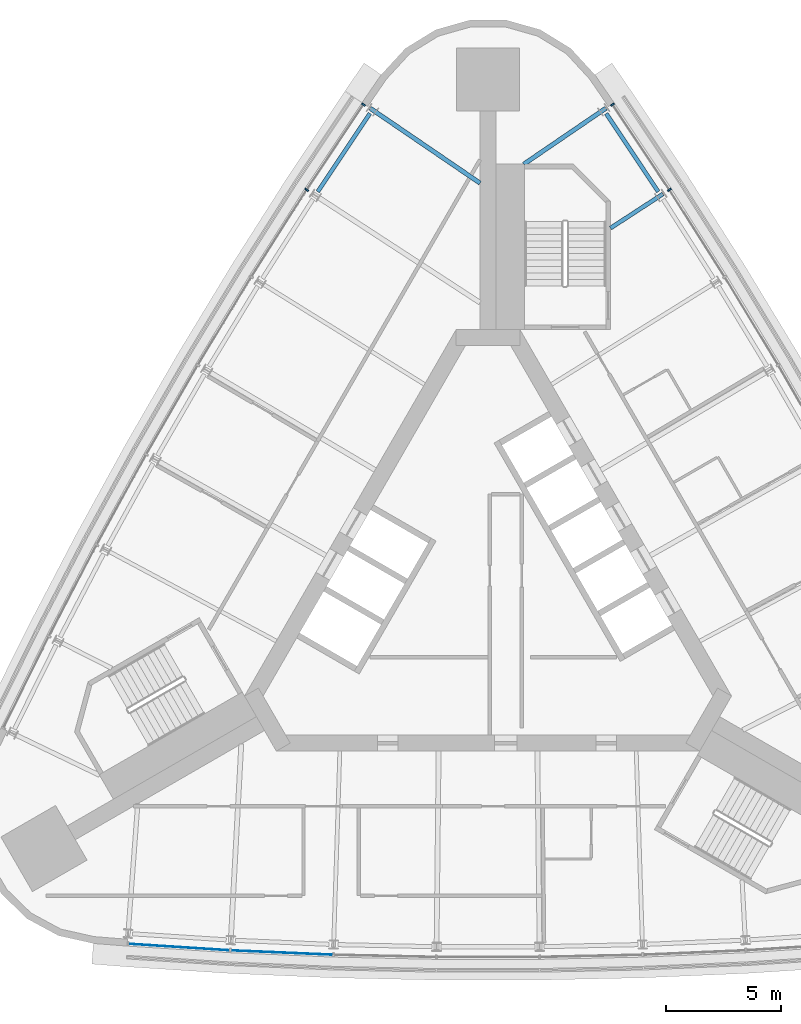
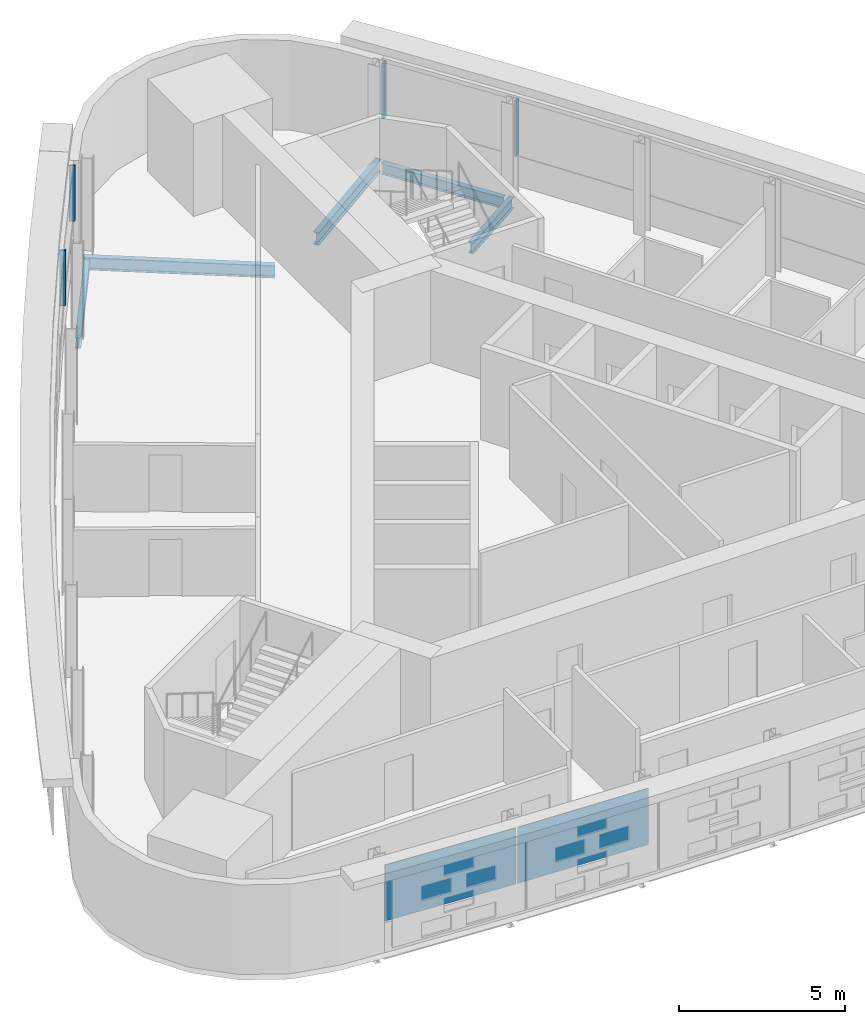
# One storey, part 6 of 12: 5 beams, 4 members, 2 plates, 3 elements without a shape of their own.
"""IFC4 building model written with IfcOpenShell, lengths in metres."""

from ifc_helpers import new_model, si_unit, direction, frame, origin, origin_2d, place, context, subcontext, project, spatial, rectangle, i_section, extrude, material, layer, layer_set, material_profile, profile_set, type_object, element, aggregate, save


model = new_model("IFC4")

# Units and contexts
model_context = context("Model", 3, precision=1e-05, world=origin(), true_north=direction((0.0, 1.0)))
body_context = subcontext(model_context, "Body", "Model", "MODEL_VIEW")
ifc_project = project(units=[si_unit("LENGTHUNIT", "METRE"), si_unit("AREAUNIT", "SQUARE_METRE"), si_unit("VOLUMEUNIT", "CUBIC_METRE"), si_unit("PLANEANGLEUNIT", "RADIAN"), si_unit("MASSUNIT", "GRAM", prefix="KILO")], contexts=[model_context])

# Site, building, storey
site_placement = place(None, origin())
site = spatial("IfcSite", under=ifc_project, at=site_placement, CompositionType="ELEMENT")
building_placement = place(site_placement, origin())
building = spatial("IfcBuilding", under=site, at=building_placement, Name="Noor Cloister Tower", CompositionType="ELEMENT")
storey_placement = place(building_placement, frame((0.0, 0.0, 188.699951171875)))
storey = spatial("IfcBuildingStorey", under=building, at=storey_placement, Name="L48", CompositionType="ELEMENT", Elevation=188.699951171875)

# Curtain wall, members
ifc_material_1 = material(Name="Aluminium 6063-T6 anodised", Category="aluminium")
curtain_wall_type = type_object("IfcCurtainWallType", Name="Ribbon curtain wall, upper tower CW5", PredefinedType="NOTDEFINED", material=ifc_material_1)
curtain_wall_1_placement = place(storey_placement, origin())
curtain_wall_1 = element("IfcCurtainWall", 1, at=curtain_wall_1_placement, inside=storey, type_object=curtain_wall_type, Name="CW5 L48 NW run 1", PredefinedType="NOTDEFINED")
ifc_material_2 = material(Name="Aluminium 6063-T6 anodised", Category="aluminium")
ifc_material_profile_1 = material_profile(ifc_material_2, rectangle(XDim=0.179931640625, YDim=0.070068359375, at=origin_2d()), Name="180 x 70 mullion")
ifc_profile_set_1 = profile_set([ifc_material_profile_1], Name="Aluminium 6063-T6 anodised")
member_type = type_object("IfcMemberType", Name="Mullion CW5 70 x 180", PredefinedType="MULLION", material=ifc_profile_set_1)
member_1_placement = place(storey_placement, frame((-5.430419921875, 21.257080078125, 1.10009765625), z_axis=(0.0, 0.0, 1.0), x_axis=(0.832149936084, -0.554550704513, 0.0)))
member_1 = element("IfcMember", 2, at=member_1_placement, type_object=member_type, Name="CW5 mullion 1", PredefinedType="MULLION", context=body_context, shape_type="SweptSolid", body=[
    extrude(rectangle(XDim=0.179931640625, YDim=0.070068359375, at=origin_2d()), origin(), (0.0, 0.0, 1.0), 2.050048828125),
])
member_2_placement = place(storey_placement, frame((-7.906005859375, 17.54248046875, 1.10009765625), z_axis=(0.0, 0.0, 1.0), x_axis=(0.838038080701, -0.545611744096, 0.0)))
member_2 = element("IfcMember", 3, at=member_2_placement, type_object=member_type, Name="CW5 mullion 2", PredefinedType="MULLION", context=body_context, shape_type="SweptSolid", body=[
    extrude(rectangle(XDim=0.179931640625, YDim=0.070068359375, at=origin_2d()), origin(), (0.0, 0.0, 1.0), 2.050048828125),
])
aggregate(curtain_wall_1, [member_1, member_2])

curtain_wall_2_placement = place(storey_placement, origin())
curtain_wall_2 = element("IfcCurtainWall", 4, at=curtain_wall_2_placement, inside=storey, type_object=curtain_wall_type, Name="CW5 L48 NE run 3", PredefinedType="NOTDEFINED")
member_3_placement = place(storey_placement, frame((7.906005859375, 17.54248046875, 1.10009765625), z_axis=(0.0, 0.0, 1.0), x_axis=(-0.838038080701, -0.545611744096, 0.0)))
member_3 = element("IfcMember", 5, at=member_3_placement, type_object=member_type, Name="CW5 mullion 7", PredefinedType="MULLION", context=body_context, shape_type="SweptSolid", body=[
    extrude(rectangle(XDim=0.179931640625, YDim=0.070068359375, at=origin_2d()), origin(), (0.0, 0.0, 1.0), 2.050048828125),
])
member_4_placement = place(storey_placement, frame((5.430419921875, 21.257080078125, 1.10009765625), z_axis=(0.0, 0.0, 1.0), x_axis=(-0.832149936084, -0.554550704513, 0.0)))
member_4 = element("IfcMember", 6, at=member_4_placement, type_object=member_type, Name="CW5 mullion 8", PredefinedType="MULLION", context=body_context, shape_type="SweptSolid", body=[
    extrude(rectangle(XDim=0.179931640625, YDim=0.070068359375, at=origin_2d()), origin(), (0.0, 0.0, 1.0), 2.050048828125),
])
aggregate(curtain_wall_2, [member_3, member_4])

# Beams
ifc_material_3 = material(Name="Steel ASTM A992 Gr 50", Category="steel")
ifc_material_profile_2 = material_profile(ifc_material_3, i_section(OverallWidth=0.177978515625, OverallDepth=0.406005859375, WebThickness=0.0078125, FlangeThickness=0.0126953125, FilletRadius=0.01025390625, at=origin_2d()), Name="W410x60")
ifc_profile_set_2 = profile_set([ifc_material_profile_2], Name="Steel ASTM A992 Gr 50")
beam_type_1 = type_object("IfcBeamType", Name="Radial beam W410x60", PredefinedType="BEAM", material=ifc_profile_set_2)
beam_1_placement = place(storey_placement, frame((7.622802734375, 17.358154296875, -0.40283203125), z_axis=(-0.83804279392, -0.545604504709, 0.0), x_axis=(0.545604504709, -0.83804279392, 0.0)))
element("IfcBeam", 7, at=beam_1_placement, inside=storey, type_object=beam_type_1, Name="Radial beam NE 07 L48", PredefinedType="BEAM", context=body_context, shape_type="SweptSolid", body=[
    extrude(i_section(OverallWidth=0.177978515625, OverallDepth=0.406005859375, WebThickness=0.0078125, FlangeThickness=0.0126953125, FilletRadius=0.01025390625, at=origin_2d()), origin(), (0.0, 0.0, 1.0), 2.72900390625),
])
ifc_material_4 = material(Name="Steel ASTM A992 Gr 50", Category="steel")
ifc_material_profile_3 = material_profile(ifc_material_4, i_section(OverallWidth=0.19091796875, OverallDepth=0.45703125, WebThickness=0.009033203125, FlangeThickness=0.014404296875, FilletRadius=0.01025390625, at=origin_2d()), Name="W460x74")
ifc_profile_set_3 = profile_set([ifc_material_profile_3], Name="Steel ASTM A992 Gr 50")
beam_type_2 = type_object("IfcBeamType", Name="Radial beam W460x74", PredefinedType="BEAM", material=ifc_profile_set_3)
beam_2_placement = place(storey_placement, frame((-5.132568359375, 21.094970703125, -0.428466796875), z_axis=(0.826151493041, -0.563448054879, 0.0), x_axis=(0.563448054879, 0.826151493041, 0.0)))
element("IfcBeam", 8, at=beam_2_placement, inside=storey, type_object=beam_type_2, Name="Radial beam NW 01 L48", PredefinedType="BEAM", context=body_context, shape_type="SweptSolid", body=[
    extrude(i_section(OverallWidth=0.19091796875, OverallDepth=0.45703125, WebThickness=0.009033203125, FlangeThickness=0.014404296875, FilletRadius=0.01025390625, at=origin_2d()), origin(), (0.0, 0.0, 1.0), 5.788818359375),
])
beam_3_placement = place(storey_placement, frame((5.132568359375, 21.094970703125, -0.428466796875), z_axis=(-0.826172441136, -0.563417338664, 0.0), x_axis=(0.563417338664, -0.826172441136, 0.0)))
element("IfcBeam", 9, at=beam_3_placement, inside=storey, type_object=beam_type_2, Name="Radial beam NE 08 L48", PredefinedType="BEAM", context=body_context, shape_type="SweptSolid", body=[
    extrude(i_section(OverallWidth=0.19091796875, OverallDepth=0.45703125, WebThickness=0.009033203125, FlangeThickness=0.014404296875, FilletRadius=0.01025390625, at=origin_2d()), origin(), (0.0, 0.0, 1.0), 4.328125),
])
ifc_material_5 = material(Name="Steel ASTM A992 Gr 50", Category="steel")
ifc_material_profile_4 = material_profile(ifc_material_5, i_section(OverallWidth=0.177978515625, OverallDepth=0.406005859375, WebThickness=0.0078125, FlangeThickness=0.0126953125, FilletRadius=0.01025390625, at=origin_2d()), Name="W410x60")
ifc_profile_set_4 = profile_set([ifc_material_profile_4], Name="Steel ASTM A992 Gr 50")
beam_type_3 = type_object("IfcBeamType", Name="Spandrel beam W410x60", PredefinedType="SPANDREL", material=ifc_profile_set_4)
for number, where, z_axis, x_axis, name in (
    (10, (-5.149169921875, 20.867919921875, -0.40283203125), (-0.554562580058, -0.832142022012, 0.0), (0.832142022012, -0.554562580058, 0.0), "Spandrel beam NW 01 L48"),
    (11, (7.419677734375, 17.4609375, -0.40283203125), (-0.554562580058, 0.832142022012, 0.0), (-0.832142022012, -0.554562580058, 0.0), "Spandrel beam NE 07 L48"),
):
    element("IfcBeam", number, at=place(storey_placement, frame(where, z_axis=z_axis, x_axis=x_axis)), inside=storey, type_object=beam_type_3, Name=name, PredefinedType="SPANDREL", context=body_context, shape_type="SweptSolid", body=[
        extrude(i_section(OverallWidth=0.177978515625, OverallDepth=0.406005859375, WebThickness=0.0078125, FlangeThickness=0.0126953125, FilletRadius=0.01025390625, at=origin_2d()), origin(), (0.0, 0.0, 1.0), 4.09423828125),
    ])

# Curtain wall, plates
curtain_wall_3_placement = place(storey_placement, origin())
curtain_wall_3 = element("IfcCurtainWall", 12, at=curtain_wall_3_placement, inside=storey, type_object=curtain_wall_type, Name="CW5 L48 S run 2", PredefinedType="NOTDEFINED")
ifc_material_6 = material(Name="Clear laminated glass 2 x 8 mm", Category="glass")
ifc_layer = layer(ifc_material_6, 0.028076171875)
ifc_layer_set = layer_set([ifc_layer], Name="Glass panel CW5")
plate_type = type_object("IfcPlateType", Name="Glass panel CW5", PredefinedType="CURTAIN_PANEL", material=ifc_layer_set)
plate_1_placement = place(storey_placement, frame((-13.466552734375, -15.474853515625, 1.08984375), z_axis=(0.0, 0.0, 1.0), x_axis=(0.997938336663, -0.064180029753, 0.0)))
plate_1 = element("IfcPlate", 13, at=plate_1_placement, type_object=plate_type, Name="CW5 glass panel 1", PredefinedType="CURTAIN_PANEL", context=body_context, shape_type="SweptSolid", body=[
    extrude(rectangle(XDim=4.413818359375, YDim=0.028076171875, at=origin_2d()), origin(), (0.0, 0.0, 1.0), 2.070068359375),
])
plate_2_placement = place(storey_placement, frame((-8.992431640625, -15.71435546875, 1.08984375), z_axis=(0.0, 0.0, 1.0), x_axis=(0.999083529933, -0.042803039807, 0.0)))
plate_2 = element("IfcPlate", 14, at=plate_2_placement, type_object=plate_type, Name="CW5 glass panel 2", PredefinedType="CURTAIN_PANEL", context=body_context, shape_type="SweptSolid", body=[
    extrude(rectangle(XDim=4.44775390625, YDim=0.028076171875, at=origin_2d()), origin(), (0.0, 0.0, 1.0), 2.070068359375),
])
aggregate(curtain_wall_3, [plate_1, plate_2])

save(model, "model.ifc")
